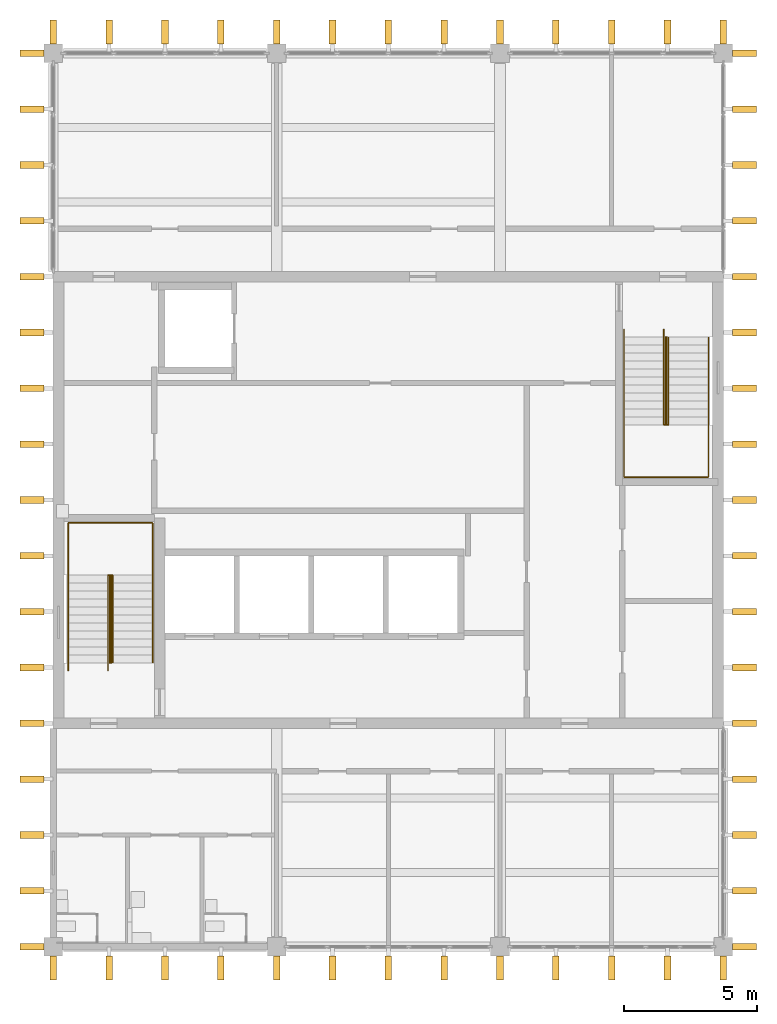
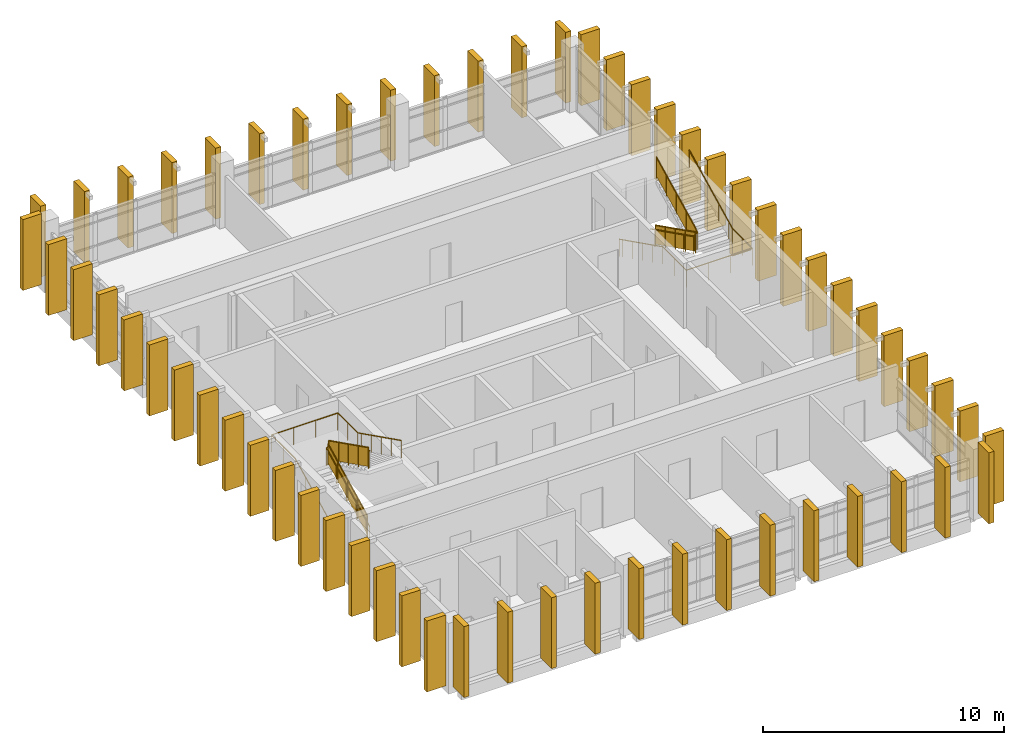
# One storey, part 10 of 11: 60 shading devices, 8 railings.
"""IFC4 building model written with IfcOpenShell, lengths in metres."""

from ifc_helpers import new_model, si_unit, direction, frame, origin, origin_2d, place, context, subcontext, project, spatial, polyline, rectangle, circle, outline, extrude, material, material_profile, profile_set, type_object, element, save


model = new_model("IFC4")

# Units and contexts
model_context = context("Model", 3, precision=1e-05, world=origin(), true_north=direction((0.0, 1.0)))
body_context = subcontext(model_context, "Body", "Model", "MODEL_VIEW")
ifc_project = project(units=[si_unit("LENGTHUNIT", "METRE"), si_unit("AREAUNIT", "SQUARE_METRE"), si_unit("VOLUMEUNIT", "CUBIC_METRE"), si_unit("PLANEANGLEUNIT", "RADIAN"), si_unit("MASSUNIT", "GRAM", prefix="KILO")], contexts=[model_context])

# Site, building, storey
site_placement = place(None, origin())
site = spatial("IfcSite", under=ifc_project, at=site_placement, CompositionType="ELEMENT")
building_placement = place(site_placement, origin())
building = spatial("IfcBuilding", under=site, at=building_placement, Name="Rulbaag Community and Learning Centre", CompositionType="ELEMENT")
storey_placement = place(building_placement, frame((0.0, 0.0, 50.39990234375)))
storey = spatial("IfcBuildingStorey", under=building, at=storey_placement, Name="L13", CompositionType="ELEMENT", Elevation=50.39990234375)

# Shading devices
ifc_material_1 = material(Name="Concrete M40", Category="concrete")
ifc_material_profile = material_profile(ifc_material_1, rectangle(XDim=0.25, YDim=0.89990234375, at=origin_2d()), Name="PC 250x900")
ifc_profile_set = profile_set([ifc_material_profile], Name="Concrete M40")
shading_device_type = type_object("IfcShadingDeviceType", Name="FIN-H", PredefinedType="JALOUSIE", material=ifc_profile_set)
for number, where, z_axis, x_axis, name in (
    (1, (142.800048828125, 83.199951171875, 0.0), (0.0, 0.0, 1.0), (1.0, 0.0, 0.0), "Precast fin"),
    (2, (144.89990234375, 83.199951171875, 0.0), (0.0, 0.0, 1.0), (1.0, 0.0, 0.0), "Precast fin"),
    (3, (147.0, 83.199951171875, 0.0), (0.0, 0.0, 1.0), (1.0, 0.0, 0.0), "Precast fin"),
    (4, (149.10009765625, 83.199951171875, 0.0), (0.0, 0.0, 1.0), (1.0, 0.0, 0.0), "Precast fin"),
    (5, (151.199951171875, 83.199951171875, 0.0), (0.0, 0.0, 1.0), (1.0, 0.0, 0.0), "Precast fin"),
    (6, (153.300048828125, 83.199951171875, 0.0), (0.0, 0.0, 1.0), (1.0, 0.0, 0.0), "Precast fin"),
    (7, (155.39990234375, 83.199951171875, 0.0), (0.0, 0.0, 1.0), (1.0, 0.0, 0.0), "Precast fin"),
    (8, (157.5, 83.199951171875, 0.0), (0.0, 0.0, 1.0), (1.0, 0.0, 0.0), "Precast fin"),
    (9, (159.60009765625, 83.199951171875, 0.0), (0.0, 0.0, 1.0), (1.0, 0.0, 0.0), "Precast fin"),
    (10, (161.699951171875, 83.199951171875, 0.0), (0.0, 0.0, 1.0), (1.0, 0.0, 0.0), "Precast fin"),
    (11, (163.800048828125, 83.199951171875, 0.0), (0.0, 0.0, 1.0), (1.0, 0.0, 0.0), "Precast fin"),
    (12, (165.89990234375, 83.199951171875, 0.0), (0.0, 0.0, 1.0), (1.0, 0.0, 0.0), "Precast fin"),
    (13, (168.0, 83.199951171875, 0.0), (0.0, 0.0, 1.0), (1.0, 0.0, 0.0), "Precast fin"),
    (14, (142.800048828125, 118.39990234375, 0.0), (0.0, 0.0, 1.0), (1.0, 0.0, 0.0), "Precast fin"),
    (15, (144.89990234375, 118.39990234375, 0.0), (0.0, 0.0, 1.0), (1.0, 0.0, 0.0), "Precast fin"),
    (16, (147.0, 118.39990234375, 0.0), (0.0, 0.0, 1.0), (1.0, 0.0, 0.0), "Precast fin"),
    (17, (149.10009765625, 118.39990234375, 0.0), (0.0, 0.0, 1.0), (1.0, 0.0, 0.0), "Precast fin"),
    (18, (151.199951171875, 118.39990234375, 0.0), (0.0, 0.0, 1.0), (1.0, 0.0, 0.0), "Precast fin"),
    (19, (153.300048828125, 118.39990234375, 0.0), (0.0, 0.0, 1.0), (1.0, 0.0, 0.0), "Precast fin"),
    (20, (155.39990234375, 118.39990234375, 0.0), (0.0, 0.0, 1.0), (1.0, 0.0, 0.0), "Precast fin"),
    (21, (157.5, 118.39990234375, 0.0), (0.0, 0.0, 1.0), (1.0, 0.0, 0.0), "Precast fin"),
    (22, (159.60009765625, 118.39990234375, 0.0), (0.0, 0.0, 1.0), (1.0, 0.0, 0.0), "Precast fin"),
    (23, (161.699951171875, 118.39990234375, 0.0), (0.0, 0.0, 1.0), (1.0, 0.0, 0.0), "Precast fin"),
    (24, (163.800048828125, 118.39990234375, 0.0), (0.0, 0.0, 1.0), (1.0, 0.0, 0.0), "Precast fin"),
    (25, (165.89990234375, 118.39990234375, 0.0), (0.0, 0.0, 1.0), (1.0, 0.0, 0.0), "Precast fin"),
    (26, (168.0, 118.39990234375, 0.0), (0.0, 0.0, 1.0), (1.0, 0.0, 0.0), "Precast fin"),
    (27, (142.0, 84.0, 0.0), (0.0, 0.0, 1.0), (0.0, 1.0, 0.0), "Precast fin"),
    (28, (142.0, 86.10009765625, 0.0), (0.0, 0.0, 1.0), (0.0, 1.0, 0.0), "Precast fin"),
    (29, (142.0, 88.199951171875, 0.0), (0.0, 0.0, 1.0), (0.0, 1.0, 0.0), "Precast fin"),
    (30, (142.0, 90.300048828125, 0.0), (0.0, 0.0, 1.0), (0.0, 1.0, 0.0), "Precast fin"),
    (31, (142.0, 92.39990234375, 0.0), (0.0, 0.0, 1.0), (0.0, 1.0, 0.0), "Precast fin"),
    (32, (142.0, 94.5, 0.0), (0.0, 0.0, 1.0), (0.0, 1.0, 0.0), "Precast fin"),
    (33, (142.0, 96.60009765625, 0.0), (0.0, 0.0, 1.0), (0.0, 1.0, 0.0), "Precast fin"),
    (34, (142.0, 98.699951171875, 0.0), (0.0, 0.0, 1.0), (0.0, 1.0, 0.0), "Precast fin"),
    (35, (142.0, 100.800048828125, 0.0), (0.0, 0.0, 1.0), (0.0, 1.0, 0.0), "Precast fin"),
    (36, (142.0, 102.89990234375, 0.0), (0.0, 0.0, 1.0), (0.0, 1.0, 0.0), "Precast fin"),
    (37, (142.0, 105.0, 0.0), (0.0, 0.0, 1.0), (0.0, 1.0, 0.0), "Precast fin"),
    (38, (142.0, 107.10009765625, 0.0), (0.0, 0.0, 1.0), (0.0, 1.0, 0.0), "Precast fin"),
    (39, (142.0, 109.199951171875, 0.0), (0.0, 0.0, 1.0), (0.0, 1.0, 0.0), "Precast fin"),
    (40, (142.0, 111.300048828125, 0.0), (0.0, 0.0, 1.0), (0.0, 1.0, 0.0), "Precast fin"),
    (41, (142.0, 113.39990234375, 0.0), (0.0, 0.0, 1.0), (0.0, 1.0, 0.0), "Precast fin"),
    (42, (142.0, 115.5, 0.0), (0.0, 0.0, 1.0), (0.0, 1.0, 0.0), "Precast fin"),
    (43, (142.0, 117.60009765625, 0.0), (0.0, 0.0, 1.0), (0.0, 1.0, 0.0), "Precast fin"),
    (44, (168.800048828125, 84.0, 0.0), (0.0, 0.0, 1.0), (0.0, 1.0, 0.0), "Precast fin"),
    (45, (168.800048828125, 86.10009765625, 0.0), (0.0, 0.0, 1.0), (0.0, 1.0, 0.0), "Precast fin"),
    (46, (168.800048828125, 88.199951171875, 0.0), (0.0, 0.0, 1.0), (0.0, 1.0, 0.0), "Precast fin"),
    (47, (168.800048828125, 90.300048828125, 0.0), (0.0, 0.0, 1.0), (0.0, 1.0, 0.0), "Precast fin"),
    (48, (168.800048828125, 92.39990234375, 0.0), (0.0, 0.0, 1.0), (0.0, 1.0, 0.0), "Precast fin"),
    (49, (168.800048828125, 94.5, 0.0), (0.0, 0.0, 1.0), (0.0, 1.0, 0.0), "Precast fin"),
    (50, (168.800048828125, 96.60009765625, 0.0), (0.0, 0.0, 1.0), (0.0, 1.0, 0.0), "Precast fin"),
    (51, (168.800048828125, 98.699951171875, 0.0), (0.0, 0.0, 1.0), (0.0, 1.0, 0.0), "Precast fin"),
    (52, (168.800048828125, 100.800048828125, 0.0), (0.0, 0.0, 1.0), (0.0, 1.0, 0.0), "Precast fin"),
    (53, (168.800048828125, 102.89990234375, 0.0), (0.0, 0.0, 1.0), (0.0, 1.0, 0.0), "Precast fin"),
    (54, (168.800048828125, 105.0, 0.0), (0.0, 0.0, 1.0), (0.0, 1.0, 0.0), "Precast fin"),
    (55, (168.800048828125, 107.10009765625, 0.0), (0.0, 0.0, 1.0), (0.0, 1.0, 0.0), "Precast fin"),
    (56, (168.800048828125, 109.199951171875, 0.0), (0.0, 0.0, 1.0), (0.0, 1.0, 0.0), "Precast fin"),
    (57, (168.800048828125, 111.300048828125, 0.0), (0.0, 0.0, 1.0), (0.0, 1.0, 0.0), "Precast fin"),
    (58, (168.800048828125, 113.39990234375, 0.0), (0.0, 0.0, 1.0), (0.0, 1.0, 0.0), "Precast fin"),
    (59, (168.800048828125, 115.5, 0.0), (0.0, 0.0, 1.0), (0.0, 1.0, 0.0), "Precast fin"),
    (60, (168.800048828125, 117.60009765625, 0.0), (0.0, 0.0, 1.0), (0.0, 1.0, 0.0), "Precast fin"),
):
    element("IfcShadingDevice", number, at=place(storey_placement, frame(where, z_axis=z_axis, x_axis=x_axis)), inside=storey, type_object=shading_device_type, Name=name, PredefinedType="JALOUSIE", context=body_context, shape_type="SweptSolid", body=[
        extrude(rectangle(XDim=0.25, YDim=0.89990234375, at=origin_2d()), origin(), (0.0, 0.0, 1.0), 3.60009765625),
    ])

# Railings
ifc_material_2 = material(Name="Galvanised mild steel", Category="steel")
railing_type_1 = type_object("IfcRailingType", Name="GR-1100 GUARD 1100", PredefinedType="GUARDRAIL", material=ifc_material_2)
railing_1_placement = place(storey_placement, frame((144.929931640625, 94.675048828125, 0.150146484375)))
element("IfcRailing", 61, at=railing_1_placement, inside=storey, type_object=railing_type_1, Name="Guard ST1 L13 G", PredefinedType="GUARDRAIL", context=body_context, shape_type="SweptSolid", body=[
    extrude(circle(Radius=0.02490234375, at=origin_2d()), frame((0.0, 0.0, 1.0751953125), z_axis=(0.0, 0.894440424912, 0.447187126696), x_axis=(-1.0, 0.0, 0.0)), (0.0, 0.0, 1.0), 3.689453125),
    extrude(circle(Radius=0.02001953125, at=origin_2d()), origin(), (0.0, 0.0, 1.0), 1.050048828125),
    extrude(circle(Radius=0.02001953125, at=origin_2d()), frame((0.0, 0.824951171875, 0.41259765625)), (0.0, 0.0, 1.0), 1.050048828125),
    extrude(circle(Radius=0.02001953125, at=origin_2d()), frame((0.0, 1.64990234375, 0.824951171875)), (0.0, 0.0, 1.0), 1.050048828125),
    extrude(circle(Radius=0.02001953125, at=origin_2d()), frame((0.0, 2.47509765625, 1.2373046875)), (0.0, 0.0, 1.0), 1.050048828125),
    extrude(circle(Radius=0.02001953125, at=origin_2d()), frame((0.0, 3.300048828125, 1.64990234375)), (0.0, 0.0, 1.0), 1.050048828125),
    extrude(outline(polyline([(0.0, 0.0), (3.300048828125, 1.64990234375), (3.300048828125, 2.599853515625), (0.0, 0.949951171875), (0.0, 0.0)])), frame((-0.0048828125, 0.0, 0.10009765625), z_axis=(1.0, 0.0, 0.0), x_axis=(0.0, 1.0, 0.0)), (0.0, 0.0, 1.0), 0.010009765625),
])
for number, where, name in (
    (62, (144.969970703125, 97.97509765625, 1.9501953125), "Guard ST1 L13 G2"),
    (63, (165.830078125, 106.925048828125, 0.150146484375), "Guard ST2 L13 G"),
):
    element("IfcRailing", number, at=place(storey_placement, frame(where)), inside=storey, type_object=railing_type_1, Name=name, PredefinedType="GUARDRAIL", context=body_context, shape_type="SweptSolid", body=[
        extrude(circle(Radius=0.02490234375, at=origin_2d()), frame((0.0, 0.0, 1.0751953125), z_axis=(0.0, -0.894440424912, 0.447187126696), x_axis=(1.0, 0.0, 0.0)), (0.0, 0.0, 1.0), 3.689453125),
        extrude(circle(Radius=0.02001953125, at=origin_2d()), origin(), (0.0, 0.0, 1.0), 1.050048828125),
        extrude(circle(Radius=0.02001953125, at=origin_2d()), frame((0.0, -0.824951171875, 0.41259765625)), (0.0, 0.0, 1.0), 1.050048828125),
        extrude(circle(Radius=0.02001953125, at=origin_2d()), frame((0.0, -1.64990234375, 0.824951171875)), (0.0, 0.0, 1.0), 1.050048828125),
        extrude(circle(Radius=0.02001953125, at=origin_2d()), frame((0.0, -2.47509765625, 1.2373046875)), (0.0, 0.0, 1.0), 1.050048828125),
        extrude(circle(Radius=0.02001953125, at=origin_2d()), frame((0.0, -3.300048828125, 1.64990234375)), (0.0, 0.0, 1.0), 1.050048828125),
        extrude(outline(polyline([(0.0, 0.0), (3.300048828125, 1.64990234375), (3.300048828125, 2.599853515625), (0.0, 0.949951171875), (0.0, 0.0)])), frame((0.0048828125, 0.0, 0.10009765625), z_axis=(-1.0, 0.0, 0.0), x_axis=(0.0, -1.0, 0.0)), (0.0, 0.0, 1.0), 0.010009765625),
    ])
railing_2_placement = place(storey_placement, frame((165.8701171875, 103.625, 1.9501953125)))
element("IfcRailing", 64, at=railing_2_placement, inside=storey, type_object=railing_type_1, Name="Guard ST2 L13 G2", PredefinedType="GUARDRAIL", context=body_context, shape_type="SweptSolid", body=[
    extrude(circle(Radius=0.02490234375, at=origin_2d()), frame((0.0, 0.0, 1.0751953125), z_axis=(0.0, 0.894440424912, 0.447187126696), x_axis=(-1.0, 0.0, 0.0)), (0.0, 0.0, 1.0), 3.689453125),
    extrude(circle(Radius=0.02001953125, at=origin_2d()), origin(), (0.0, 0.0, 1.0), 1.050048828125),
    extrude(circle(Radius=0.02001953125, at=origin_2d()), frame((0.0, 0.824951171875, 0.41259765625)), (0.0, 0.0, 1.0), 1.050048828125),
    extrude(circle(Radius=0.02001953125, at=origin_2d()), frame((0.0, 1.64990234375, 0.824951171875)), (0.0, 0.0, 1.0), 1.050048828125),
    extrude(circle(Radius=0.02001953125, at=origin_2d()), frame((0.0, 2.47509765625, 1.2373046875)), (0.0, 0.0, 1.0), 1.050048828125),
    extrude(circle(Radius=0.02001953125, at=origin_2d()), frame((0.0, 3.300048828125, 1.64990234375)), (0.0, 0.0, 1.0), 1.050048828125),
    extrude(outline(polyline([(0.0, 0.0), (3.300048828125, 1.64990234375), (3.300048828125, 2.599853515625), (0.0, 0.949951171875), (0.0, 0.0)])), frame((-0.0048828125, 0.0, 0.10009765625), z_axis=(1.0, 0.0, 0.0), x_axis=(0.0, 1.0, 0.0)), (0.0, 0.0, 1.0), 0.010009765625),
])
ifc_material_3 = material(Name="Stainless steel grade 316", Category="steel")
railing_type_2 = type_object("IfcRailingType", Name="HR-900 HANDRAIL 900", PredefinedType="HANDRAIL", material=ifc_material_3)
railing_3_placement = place(storey_placement, frame((143.360107421875, 94.375, 0.0)))
element("IfcRailing", 65, at=railing_3_placement, inside=storey, type_object=railing_type_2, Name="Handrail ST1 L13 O", PredefinedType="HANDRAIL", context=body_context, shape_type="SweptSolid", body=[
    extrude(circle(Radius=0.024169921875, at=origin_2d()), frame((0.0, 0.0, 0.875732421875), z_axis=(0.0, 0.894281613681, 0.447504631744), x_axis=(-1.0, 0.0, 0.0)), (0.0, 0.0, 1.0), 0.33544921875),
    extrude(circle(Radius=0.024169921875, at=origin_2d()), frame((0.0, 0.300048828125, 1.02587890625), z_axis=(0.0, 0.894440424912, 0.447187126696), x_axis=(-1.0, 0.0, 0.0)), (0.0, 0.0, 1.0), 3.689453125),
    extrude(circle(Radius=0.024169921875, at=origin_2d()), frame((0.0, 3.60009765625, 2.67578125), z_axis=(0.0, 1.0, 0.0), x_axis=(-1.0, 0.0, 0.0)), (0.0, 0.0, 1.0), 1.96484375),
    extrude(circle(Radius=0.024169921875, at=origin_2d()), frame((0.0, 5.56494140625, 2.67578125), z_axis=(1.0, 0.0, 0.0), x_axis=(0.0, 1.0, 0.0)), (0.0, 0.0, 1.0), 3.179931640625),
    extrude(circle(Radius=0.024169921875, at=origin_2d()), frame((3.179931640625, 5.56494140625, 2.67578125), z_axis=(0.0, -1.0, 0.0), x_axis=(1.0, 0.0, 0.0)), (0.0, 0.0, 1.0), 1.6650390625),
    extrude(circle(Radius=0.024169921875, at=origin_2d()), frame((3.179931640625, 3.89990234375, 2.67578125), z_axis=(0.0, -0.894135751892, 0.447795999523), x_axis=(1.0, 0.0, 0.0)), (0.0, 0.0, 1.0), 0.335205078125),
    extrude(circle(Radius=0.024169921875, at=origin_2d()), frame((3.179931640625, 3.60009765625, 2.825927734375), z_axis=(0.0, -0.894440424912, 0.447187126696), x_axis=(1.0, 0.0, 0.0)), (0.0, 0.0, 1.0), 3.689453125),
    extrude(circle(Radius=0.008056640625, at=origin_2d()), origin(), (0.0, 0.0, 1.0), 0.8515625),
    extrude(circle(Radius=0.008056640625, at=origin_2d()), frame((0.0, 0.300048828125, 0.150146484375)), (0.0, 0.0, 1.0), 0.8515625),
    extrude(circle(Radius=0.008056640625, at=origin_2d()), frame((0.0, 1.125, 0.5625)), (0.0, 0.0, 1.0), 0.8515625),
    extrude(circle(Radius=0.008056640625, at=origin_2d()), frame((0.0, 1.9501953125, 0.97509765625)), (0.0, 0.0, 1.0), 0.8515625),
    extrude(circle(Radius=0.008056640625, at=origin_2d()), frame((0.0, 2.775146484375, 1.3876953125)), (0.0, 0.0, 1.0), 0.8515625),
    extrude(circle(Radius=0.008056640625, at=origin_2d()), frame((0.0, 3.60009765625, 1.800048828125)), (0.0, 0.0, 1.0), 0.8515625),
    extrude(circle(Radius=0.008056640625, at=origin_2d()), frame((0.0, 4.58251953125, 1.800048828125)), (0.0, 0.0, 1.0), 0.8515625),
    extrude(circle(Radius=0.008056640625, at=origin_2d()), frame((0.0, 5.56494140625, 1.800048828125)), (0.0, 0.0, 1.0), 0.8515625),
    extrude(circle(Radius=0.008056640625, at=origin_2d()), frame((1.06005859375, 5.56494140625, 1.800048828125)), (0.0, 0.0, 1.0), 0.8515625),
    extrude(circle(Radius=0.008056640625, at=origin_2d()), frame((2.119873046875, 5.56494140625, 1.800048828125)), (0.0, 0.0, 1.0), 0.8515625),
    extrude(circle(Radius=0.008056640625, at=origin_2d()), frame((3.179931640625, 5.56494140625, 1.800048828125)), (0.0, 0.0, 1.0), 0.8515625),
    extrude(circle(Radius=0.008056640625, at=origin_2d()), frame((3.179931640625, 4.732421875, 1.800048828125)), (0.0, 0.0, 1.0), 0.8515625),
    extrude(circle(Radius=0.008056640625, at=origin_2d()), frame((3.179931640625, 3.89990234375, 1.800048828125)), (0.0, 0.0, 1.0), 0.8515625),
    extrude(circle(Radius=0.008056640625, at=origin_2d()), frame((3.179931640625, 3.60009765625, 1.9501953125)), (0.0, 0.0, 1.0), 0.8515625),
    extrude(circle(Radius=0.008056640625, at=origin_2d()), frame((3.179931640625, 2.775146484375, 2.36279296875)), (0.0, 0.0, 1.0), 0.8515625),
    extrude(circle(Radius=0.008056640625, at=origin_2d()), frame((3.179931640625, 1.9501953125, 2.775146484375)), (0.0, 0.0, 1.0), 0.8515625),
    extrude(circle(Radius=0.008056640625, at=origin_2d()), frame((3.179931640625, 1.125, 3.1875)), (0.0, 0.0, 1.0), 0.8515625),
    extrude(circle(Radius=0.008056640625, at=origin_2d()), frame((3.179931640625, 0.300048828125, 3.60009765625)), (0.0, 0.0, 1.0), 0.8515625),
])
railing_4_placement = place(storey_placement, frame((144.860107421875, 94.375, 0.0)))
element("IfcRailing", 66, at=railing_4_placement, inside=storey, type_object=railing_type_2, Name="Handrail ST1 L13 I", PredefinedType="HANDRAIL", context=body_context, shape_type="SweptSolid", body=[
    extrude(circle(Radius=0.024169921875, at=origin_2d()), frame((0.0, 0.0, 0.875732421875), z_axis=(0.0, 0.894281613681, 0.447504631744), x_axis=(-1.0, 0.0, 0.0)), (0.0, 0.0, 1.0), 0.33544921875),
    extrude(circle(Radius=0.024169921875, at=origin_2d()), frame((0.0, 0.300048828125, 1.02587890625), z_axis=(0.0, 0.894440424912, 0.447187126696), x_axis=(-1.0, 0.0, 0.0)), (0.0, 0.0, 1.0), 3.689453125),
    extrude(circle(Radius=0.024169921875, at=origin_2d()), frame((0.0, 3.60009765625, 2.67578125), z_axis=(0.767794148456, 0.0, 0.640696609634), x_axis=(0.0, 1.0, 0.0)), (0.0, 0.0, 1.0), 0.234375),
    extrude(circle(Radius=0.024169921875, at=origin_2d()), frame((0.179931640625, 3.60009765625, 2.825927734375), z_axis=(0.0, -0.894440424912, 0.447187126696), x_axis=(1.0, 0.0, 0.0)), (0.0, 0.0, 1.0), 3.689453125),
    extrude(circle(Radius=0.008056640625, at=origin_2d()), origin(), (0.0, 0.0, 1.0), 0.8515625),
    extrude(circle(Radius=0.008056640625, at=origin_2d()), frame((0.0, 0.300048828125, 0.150146484375)), (0.0, 0.0, 1.0), 0.8515625),
    extrude(circle(Radius=0.008056640625, at=origin_2d()), frame((0.0, 1.125, 0.5625)), (0.0, 0.0, 1.0), 0.8515625),
    extrude(circle(Radius=0.008056640625, at=origin_2d()), frame((0.0, 1.9501953125, 0.97509765625)), (0.0, 0.0, 1.0), 0.8515625),
    extrude(circle(Radius=0.008056640625, at=origin_2d()), frame((0.0, 2.775146484375, 1.3876953125)), (0.0, 0.0, 1.0), 0.8515625),
    extrude(circle(Radius=0.008056640625, at=origin_2d()), frame((0.0, 3.60009765625, 1.800048828125)), (0.0, 0.0, 1.0), 0.8515625),
    extrude(circle(Radius=0.008056640625, at=origin_2d()), frame((0.179931640625, 3.60009765625, 1.9501953125)), (0.0, 0.0, 1.0), 0.8515625),
    extrude(circle(Radius=0.008056640625, at=origin_2d()), frame((0.179931640625, 2.775146484375, 2.36279296875)), (0.0, 0.0, 1.0), 0.8515625),
    extrude(circle(Radius=0.008056640625, at=origin_2d()), frame((0.179931640625, 1.9501953125, 2.775146484375)), (0.0, 0.0, 1.0), 0.8515625),
    extrude(circle(Radius=0.008056640625, at=origin_2d()), frame((0.179931640625, 1.125, 3.1875)), (0.0, 0.0, 1.0), 0.8515625),
    extrude(circle(Radius=0.008056640625, at=origin_2d()), frame((0.179931640625, 0.300048828125, 3.60009765625)), (0.0, 0.0, 1.0), 0.8515625),
])
railing_5_placement = place(storey_placement, frame((164.260009765625, 107.22509765625, 0.0)))
element("IfcRailing", 67, at=railing_5_placement, inside=storey, type_object=railing_type_2, Name="Handrail ST2 L13 O", PredefinedType="HANDRAIL", context=body_context, shape_type="SweptSolid", body=[
    extrude(circle(Radius=0.024169921875, at=origin_2d()), frame((0.0, 0.0, 0.875732421875), z_axis=(0.0, -0.894281613681, 0.447504631744), x_axis=(1.0, 0.0, 0.0)), (0.0, 0.0, 1.0), 0.33544921875),
    extrude(circle(Radius=0.024169921875, at=origin_2d()), frame((0.0, -0.300048828125, 1.02587890625), z_axis=(0.0, -0.894440424912, 0.447187126696), x_axis=(1.0, 0.0, 0.0)), (0.0, 0.0, 1.0), 3.689453125),
    extrude(circle(Radius=0.024169921875, at=origin_2d()), frame((0.0, -3.60009765625, 2.67578125), z_axis=(0.0, -1.0, 0.0), x_axis=(1.0, 0.0, 0.0)), (0.0, 0.0, 1.0), 1.965087890625),
    extrude(circle(Radius=0.024169921875, at=origin_2d()), frame((0.0, -5.565185546875, 2.67578125), z_axis=(1.0, 0.0, 0.0), x_axis=(0.0, 1.0, 0.0)), (0.0, 0.0, 1.0), 3.179931640625),
    extrude(circle(Radius=0.024169921875, at=origin_2d()), frame((3.179931640625, -5.565185546875, 2.67578125), z_axis=(0.0, 1.0, 0.0), x_axis=(-1.0, 0.0, 0.0)), (0.0, 0.0, 1.0), 1.6650390625),
    extrude(circle(Radius=0.024169921875, at=origin_2d()), frame((3.179931640625, -3.900146484375, 2.67578125), z_axis=(0.0, 0.894281613681, 0.447504631744), x_axis=(-1.0, 0.0, 0.0)), (0.0, 0.0, 1.0), 0.33544921875),
    extrude(circle(Radius=0.024169921875, at=origin_2d()), frame((3.179931640625, -3.60009765625, 2.825927734375), z_axis=(0.0, 0.894440424912, 0.447187126696), x_axis=(-1.0, 0.0, 0.0)), (0.0, 0.0, 1.0), 3.689453125),
    extrude(circle(Radius=0.008056640625, at=origin_2d()), origin(), (0.0, 0.0, 1.0), 0.8515625),
    extrude(circle(Radius=0.008056640625, at=origin_2d()), frame((0.0, -0.300048828125, 0.150146484375)), (0.0, 0.0, 1.0), 0.8515625),
    extrude(circle(Radius=0.008056640625, at=origin_2d()), frame((0.0, -1.125, 0.5625)), (0.0, 0.0, 1.0), 0.8515625),
    extrude(circle(Radius=0.008056640625, at=origin_2d()), frame((0.0, -1.9501953125, 0.97509765625)), (0.0, 0.0, 1.0), 0.8515625),
    extrude(circle(Radius=0.008056640625, at=origin_2d()), frame((0.0, -2.775146484375, 1.3876953125)), (0.0, 0.0, 1.0), 0.8515625),
    extrude(circle(Radius=0.008056640625, at=origin_2d()), frame((0.0, -3.60009765625, 1.800048828125)), (0.0, 0.0, 1.0), 0.8515625),
    extrude(circle(Radius=0.008056640625, at=origin_2d()), frame((0.0, -4.58251953125, 1.800048828125)), (0.0, 0.0, 1.0), 0.8515625),
    extrude(circle(Radius=0.008056640625, at=origin_2d()), frame((0.0, -5.565185546875, 1.800048828125)), (0.0, 0.0, 1.0), 0.8515625),
    extrude(circle(Radius=0.008056640625, at=origin_2d()), frame((1.06005859375, -5.565185546875, 1.800048828125)), (0.0, 0.0, 1.0), 0.8515625),
    extrude(circle(Radius=0.008056640625, at=origin_2d()), frame((2.119873046875, -5.565185546875, 1.800048828125)), (0.0, 0.0, 1.0), 0.8515625),
    extrude(circle(Radius=0.008056640625, at=origin_2d()), frame((3.179931640625, -5.565185546875, 1.800048828125)), (0.0, 0.0, 1.0), 0.8515625),
    extrude(circle(Radius=0.008056640625, at=origin_2d()), frame((3.179931640625, -4.732666015625, 1.800048828125)), (0.0, 0.0, 1.0), 0.8515625),
    extrude(circle(Radius=0.008056640625, at=origin_2d()), frame((3.179931640625, -3.900146484375, 1.800048828125)), (0.0, 0.0, 1.0), 0.8515625),
    extrude(circle(Radius=0.008056640625, at=origin_2d()), frame((3.179931640625, -3.60009765625, 1.9501953125)), (0.0, 0.0, 1.0), 0.8515625),
    extrude(circle(Radius=0.008056640625, at=origin_2d()), frame((3.179931640625, -2.775146484375, 2.36279296875)), (0.0, 0.0, 1.0), 0.8515625),
    extrude(circle(Radius=0.008056640625, at=origin_2d()), frame((3.179931640625, -1.9501953125, 2.775146484375)), (0.0, 0.0, 1.0), 0.8515625),
    extrude(circle(Radius=0.008056640625, at=origin_2d()), frame((3.179931640625, -1.125, 3.1875)), (0.0, 0.0, 1.0), 0.8515625),
    extrude(circle(Radius=0.008056640625, at=origin_2d()), frame((3.179931640625, -0.300048828125, 3.60009765625)), (0.0, 0.0, 1.0), 0.8515625),
])
railing_6_placement = place(storey_placement, frame((165.760009765625, 107.22509765625, 0.0)))
element("IfcRailing", 68, at=railing_6_placement, inside=storey, type_object=railing_type_2, Name="Handrail ST2 L13 I", PredefinedType="HANDRAIL", context=body_context, shape_type="SweptSolid", body=[
    extrude(circle(Radius=0.024169921875, at=origin_2d()), frame((0.0, 0.0, 0.875732421875), z_axis=(0.0, -0.894281613681, 0.447504631744), x_axis=(1.0, 0.0, 0.0)), (0.0, 0.0, 1.0), 0.33544921875),
    extrude(circle(Radius=0.024169921875, at=origin_2d()), frame((0.0, -0.300048828125, 1.02587890625), z_axis=(0.0, -0.894440424912, 0.447187126696), x_axis=(1.0, 0.0, 0.0)), (0.0, 0.0, 1.0), 3.689453125),
    extrude(circle(Radius=0.024169921875, at=origin_2d()), frame((0.0, -3.60009765625, 2.67578125), z_axis=(0.767794148456, 0.0, 0.640696609634), x_axis=(0.0, 1.0, 0.0)), (0.0, 0.0, 1.0), 0.234375),
    extrude(circle(Radius=0.024169921875, at=origin_2d()), frame((0.179931640625, -3.60009765625, 2.825927734375), z_axis=(0.0, 0.894440424912, 0.447187126696), x_axis=(-1.0, 0.0, 0.0)), (0.0, 0.0, 1.0), 3.689453125),
    extrude(circle(Radius=0.008056640625, at=origin_2d()), origin(), (0.0, 0.0, 1.0), 0.8515625),
    extrude(circle(Radius=0.008056640625, at=origin_2d()), frame((0.0, -0.300048828125, 0.150146484375)), (0.0, 0.0, 1.0), 0.8515625),
    extrude(circle(Radius=0.008056640625, at=origin_2d()), frame((0.0, -1.125, 0.5625)), (0.0, 0.0, 1.0), 0.8515625),
    extrude(circle(Radius=0.008056640625, at=origin_2d()), frame((0.0, -1.9501953125, 0.97509765625)), (0.0, 0.0, 1.0), 0.8515625),
    extrude(circle(Radius=0.008056640625, at=origin_2d()), frame((0.0, -2.775146484375, 1.3876953125)), (0.0, 0.0, 1.0), 0.8515625),
    extrude(circle(Radius=0.008056640625, at=origin_2d()), frame((0.0, -3.60009765625, 1.800048828125)), (0.0, 0.0, 1.0), 0.8515625),
    extrude(circle(Radius=0.008056640625, at=origin_2d()), frame((0.179931640625, -3.60009765625, 1.9501953125)), (0.0, 0.0, 1.0), 0.8515625),
    extrude(circle(Radius=0.008056640625, at=origin_2d()), frame((0.179931640625, -2.775146484375, 2.36279296875)), (0.0, 0.0, 1.0), 0.8515625),
    extrude(circle(Radius=0.008056640625, at=origin_2d()), frame((0.179931640625, -1.9501953125, 2.775146484375)), (0.0, 0.0, 1.0), 0.8515625),
    extrude(circle(Radius=0.008056640625, at=origin_2d()), frame((0.179931640625, -1.125, 3.1875)), (0.0, 0.0, 1.0), 0.8515625),
    extrude(circle(Radius=0.008056640625, at=origin_2d()), frame((0.179931640625, -0.300048828125, 3.60009765625)), (0.0, 0.0, 1.0), 0.8515625),
])

save(model, "model.ifc")
